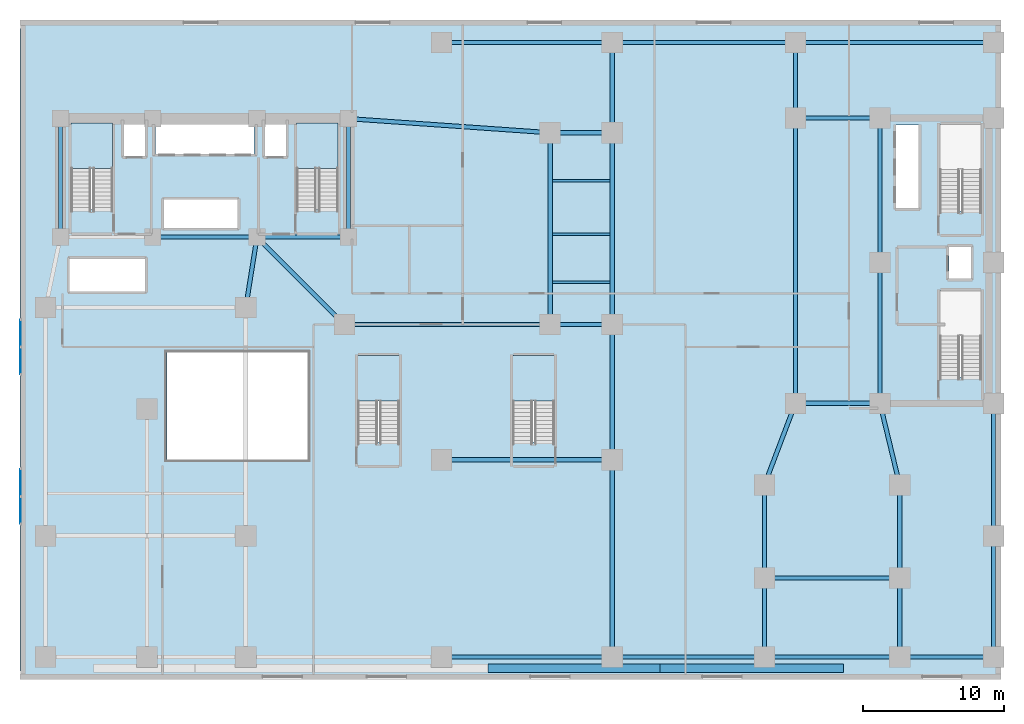
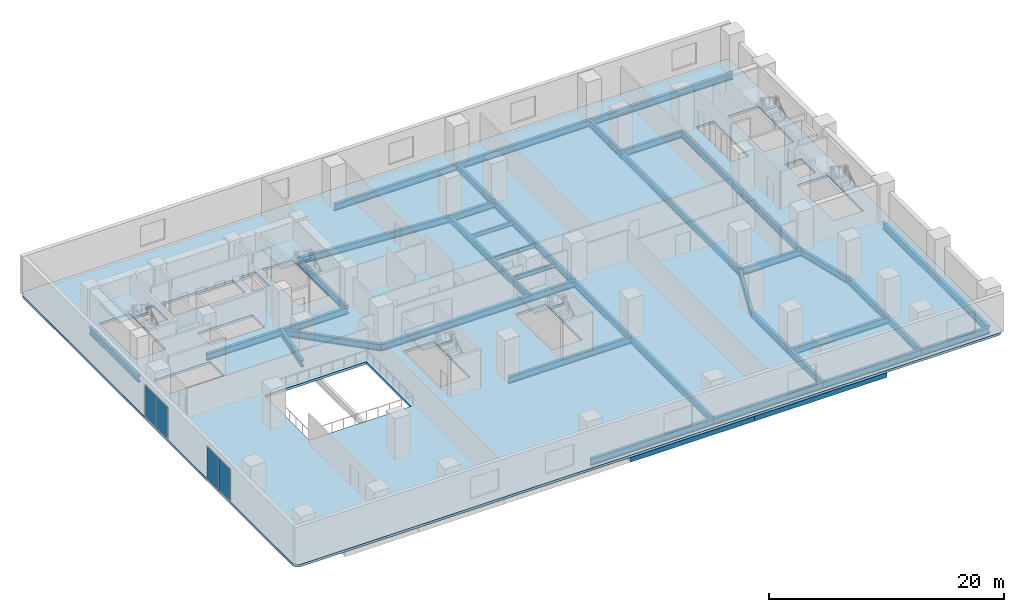
# One storey, part 7 of 14: 43 beams, 5 slabs, 4 plates, 6 elements without a shape of their own.
"""IFC4 building model written with IfcOpenShell, lengths in metres."""

from ifc_helpers import new_model, si_unit, direction, frame, origin, origin_2d, place, context, subcontext, project, spatial, polyline, rectangle, i_section, outline, extrude, material, layer, layer_set, material_profile, profile_set, type_object, element, aggregate, save


model = new_model("IFC4")

# Units and contexts
model_context = context("Model", 3, precision=1e-05, world=origin(), true_north=direction((0.0, 1.0)))
body_context = subcontext(model_context, "Body", "Model", "MODEL_VIEW")
ifc_project = project(units=[si_unit("LENGTHUNIT", "METRE"), si_unit("AREAUNIT", "SQUARE_METRE"), si_unit("VOLUMEUNIT", "CUBIC_METRE"), si_unit("PLANEANGLEUNIT", "RADIAN"), si_unit("MASSUNIT", "GRAM", prefix="KILO")], contexts=[model_context])

# Site, building, storey
site_placement = place(None, origin())
site = spatial("IfcSite", under=ifc_project, at=site_placement, CompositionType="ELEMENT")
building_placement = place(site_placement, origin())
building = spatial("IfcBuilding", under=site, at=building_placement, Name="Kuzgunbayir Cultural Tower", CompositionType="ELEMENT")
storey_placement = place(building_placement, frame((0.0, 0.0, 8.800048828125)))
storey = spatial("IfcBuildingStorey", under=building, at=storey_placement, Name="L02", CompositionType="ELEMENT", Elevation=8.800048828125)

# Beams
ifc_material_1 = material(Name="Steel S355J2", Category="steel")
ifc_material_profile_1 = material_profile(ifc_material_1, i_section(OverallWidth=0.300048828125, OverallDepth=0.699951171875, WebThickness=0.01708984375, FlangeThickness=0.031982421875, FilletRadius=0.027099609375, at=origin_2d()), Name="HEB 700")
ifc_profile_set_1 = profile_set([ifc_material_profile_1], Name="Steel S355J2")
beam_type_1 = type_object("IfcBeamType", Name="BM-GIR-HEB700", PredefinedType="BEAM", material=ifc_profile_set_1)
beam_1_placement = place(storey_placement, frame((33.5, 4.0, -0.60009765625), z_axis=(1.0, 0.0, 0.0), x_axis=(0.0, 1.0, 0.0)))
element("IfcBeam", 1, at=beam_1_placement, inside=storey, type_object=beam_type_1, Name="L02 Podium South Girder 4", PredefinedType="BEAM", context=body_context, shape_type="SweptSolid", body=[
    extrude(i_section(OverallWidth=0.300048828125, OverallDepth=0.699951171875, WebThickness=0.01708984375, FlangeThickness=0.031982421875, FilletRadius=0.027099609375, at=origin_2d()), origin(), (0.0, 0.0, 1.0), 12.10009765625),
])
beam_2_placement = place(storey_placement, frame((45.60009765625, 4.0, -0.60009765625), z_axis=(1.0, 0.0, 0.0), x_axis=(0.0, 1.0, 0.0)))
element("IfcBeam", 2, at=beam_2_placement, inside=storey, type_object=beam_type_1, Name="L02 Podium South Girder 5", PredefinedType="BEAM", context=body_context, shape_type="SweptSolid", body=[
    extrude(i_section(OverallWidth=0.300048828125, OverallDepth=0.699951171875, WebThickness=0.01708984375, FlangeThickness=0.031982421875, FilletRadius=0.027099609375, at=origin_2d()), origin(), (0.0, 0.0, 1.0), 10.7998046875),
])
beam_3_placement = place(storey_placement, frame((56.39990234375, 4.0, -0.60009765625), z_axis=(1.0, 0.0, 0.0), x_axis=(0.0, 1.0, 0.0)))
element("IfcBeam", 3, at=beam_3_placement, inside=storey, type_object=beam_type_1, Name="L02 Podium South Girder 6", PredefinedType="BEAM", context=body_context, shape_type="SweptSolid", body=[
    extrude(i_section(OverallWidth=0.300048828125, OverallDepth=0.699951171875, WebThickness=0.01708984375, FlangeThickness=0.031982421875, FilletRadius=0.027099609375, at=origin_2d()), origin(), (0.0, 0.0, 1.0), 9.60009765625),
])
beam_4_placement = place(storey_placement, frame((66.0, 4.0, -0.60009765625), z_axis=(1.0, 0.0, 0.0), x_axis=(0.0, 1.0, 0.0)))
element("IfcBeam", 4, at=beam_4_placement, inside=storey, type_object=beam_type_1, Name="L02 Podium South Girder 7", PredefinedType="BEAM", context=body_context, shape_type="SweptSolid", body=[
    extrude(i_section(OverallWidth=0.300048828125, OverallDepth=0.699951171875, WebThickness=0.01708984375, FlangeThickness=0.031982421875, FilletRadius=0.027099609375, at=origin_2d()), origin(), (0.0, 0.0, 1.0), 6.64990234375),
])
beam_5_placement = place(storey_placement, frame((33.5, 47.60009765625, -0.60009765625), z_axis=(1.0, 0.0, 0.0), x_axis=(0.0, 1.0, 0.0)))
element("IfcBeam", 5, at=beam_5_placement, inside=storey, type_object=beam_type_1, Name="L02 Podium North Girder 1", PredefinedType="BEAM", context=body_context, shape_type="SweptSolid", body=[
    extrude(i_section(OverallWidth=0.300048828125, OverallDepth=0.699951171875, WebThickness=0.01708984375, FlangeThickness=0.031982421875, FilletRadius=0.027099609375, at=origin_2d()), origin(), (0.0, 0.0, 1.0), 12.10009765625),
])
beam_6_placement = place(storey_placement, frame((45.60009765625, 47.60009765625, -0.60009765625), z_axis=(1.0, 0.0, 0.0), x_axis=(0.0, 1.0, 0.0)))
element("IfcBeam", 6, at=beam_6_placement, inside=storey, type_object=beam_type_1, Name="L02 Podium North Girder 2", PredefinedType="BEAM", context=body_context, shape_type="SweptSolid", body=[
    extrude(i_section(OverallWidth=0.300048828125, OverallDepth=0.699951171875, WebThickness=0.01708984375, FlangeThickness=0.031982421875, FilletRadius=0.027099609375, at=origin_2d()), origin(), (0.0, 0.0, 1.0), 13.0),
])
beam_7_placement = place(storey_placement, frame((58.60009765625, 47.60009765625, -0.60009765625), z_axis=(1.0, 0.0, 0.0), x_axis=(0.0, 1.0, 0.0)))
element("IfcBeam", 7, at=beam_7_placement, inside=storey, type_object=beam_type_1, Name="L02 Podium North Girder 3", PredefinedType="BEAM", context=body_context, shape_type="SweptSolid", body=[
    extrude(i_section(OverallWidth=0.300048828125, OverallDepth=0.699951171875, WebThickness=0.01708984375, FlangeThickness=0.031982421875, FilletRadius=0.027099609375, at=origin_2d()), origin(), (0.0, 0.0, 1.0), 14.0498046875),
])
beam_8_placement = place(storey_placement, frame((19.60009765625, 28.800048828125, -0.60009765625), z_axis=(0.157952891656, 0.987446648694, 0.0), x_axis=(-0.987446648694, 0.157952891656, 0.0)))
element("IfcBeam", 8, at=beam_8_placement, inside=storey, type_object=beam_type_1, Name="L02 Podium Primary Girder 8", PredefinedType="BEAM", context=body_context, shape_type="SweptSolid", body=[
    extrude(i_section(OverallWidth=0.300048828125, OverallDepth=0.699951171875, WebThickness=0.01708984375, FlangeThickness=0.031982421875, FilletRadius=0.027099609375, at=origin_2d()), origin(), (0.0, 0.0, 1.0), 5.0634765625),
])
beam_9_placement = place(storey_placement, frame((20.39990234375, 33.800048828125, -0.60009765625), z_axis=(0.707120702941, -0.707092859158, 0.0), x_axis=(0.707092859158, 0.707120702941, 0.0)))
element("IfcBeam", 9, at=beam_9_placement, inside=storey, type_object=beam_type_1, Name="L02 Podium Primary Girder 9", PredefinedType="BEAM", context=body_context, shape_type="SweptSolid", body=[
    extrude(i_section(OverallWidth=0.300048828125, OverallDepth=0.699951171875, WebThickness=0.01708984375, FlangeThickness=0.031982421875, FilletRadius=0.027099609375, at=origin_2d()), origin(), (0.0, 0.0, 1.0), 8.768310546875),
])
beam_10_placement = place(storey_placement, frame((26.60009765625, 27.60009765625, -0.60009765625), z_axis=(1.0, 0.0, 0.0), x_axis=(0.0, 1.0, 0.0)))
element("IfcBeam", 10, at=beam_10_placement, inside=storey, type_object=beam_type_1, Name="L02 Podium Primary Girder 10", PredefinedType="BEAM", context=body_context, shape_type="SweptSolid", body=[
    extrude(i_section(OverallWidth=0.300048828125, OverallDepth=0.699951171875, WebThickness=0.01708984375, FlangeThickness=0.031982421875, FilletRadius=0.027099609375, at=origin_2d()), origin(), (0.0, 0.0, 1.0), 14.599853515625),
])
beam_11_placement = place(storey_placement, frame((41.199951171875, 27.60009765625, -0.60009765625), z_axis=(1.0, 0.0, 0.0), x_axis=(0.0, 1.0, 0.0)))
element("IfcBeam", 11, at=beam_11_placement, inside=storey, type_object=beam_type_1, Name="L02 Podium Primary Girder 11", PredefinedType="BEAM", context=body_context, shape_type="SweptSolid", body=[
    extrude(i_section(OverallWidth=0.300048828125, OverallDepth=0.699951171875, WebThickness=0.01708984375, FlangeThickness=0.031982421875, FilletRadius=0.027099609375, at=origin_2d()), origin(), (0.0, 0.0, 1.0), 4.400146484375),
])
beam_12_placement = place(storey_placement, frame((26.89990234375, 42.199951171875, -0.60009765625), z_axis=(0.997563840671, -0.06975947094, 0.0), x_axis=(0.06975947094, 0.997563840671, 0.0)))
element("IfcBeam", 12, at=beam_12_placement, inside=storey, type_object=beam_type_1, Name="L02 Podium Primary Girder 12", PredefinedType="BEAM", context=body_context, shape_type="SweptSolid", body=[
    extrude(i_section(OverallWidth=0.300048828125, OverallDepth=0.699951171875, WebThickness=0.01708984375, FlangeThickness=0.031982421875, FilletRadius=0.027099609375, at=origin_2d()), origin(), (0.0, 0.0, 1.0), 14.3349609375),
])
beam_13_placement = place(storey_placement, frame((41.199951171875, 41.199951171875, -0.60009765625), z_axis=(1.0, 0.0, 0.0), x_axis=(0.0, 1.0, 0.0)))
element("IfcBeam", 13, at=beam_13_placement, inside=storey, type_object=beam_type_1, Name="L02 Podium Primary Girder 13", PredefinedType="BEAM", context=body_context, shape_type="SweptSolid", body=[
    extrude(i_section(OverallWidth=0.300048828125, OverallDepth=0.699951171875, WebThickness=0.01708984375, FlangeThickness=0.031982421875, FilletRadius=0.027099609375, at=origin_2d()), origin(), (0.0, 0.0, 1.0), 4.400146484375),
])
for number, where, z_axis, x_axis, name in (
    (14, (41.199951171875, 27.60009765625, -0.60009765625), (0.0, 1.0, 0.0), (-1.0, 0.0, 0.0), "L02 Podium Primary Girder 14"),
    (15, (45.60009765625, 27.60009765625, -0.60009765625), (0.0, 1.0, 0.0), (-1.0, 0.0, 0.0), "L02 Podium Primary Girder 15"),
):
    element("IfcBeam", number, at=place(storey_placement, frame(where, z_axis=z_axis, x_axis=x_axis)), inside=storey, type_object=beam_type_1, Name=name, PredefinedType="BEAM", context=body_context, shape_type="SweptSolid", body=[
        extrude(i_section(OverallWidth=0.300048828125, OverallDepth=0.699951171875, WebThickness=0.01708984375, FlangeThickness=0.031982421875, FilletRadius=0.027099609375, at=origin_2d()), origin(), (0.0, 0.0, 1.0), 13.599853515625),
    ])
beam_14_placement = place(storey_placement, frame((33.5, 18.0, -0.60009765625), z_axis=(1.0, 0.0, 0.0), x_axis=(0.0, 1.0, 0.0)))
element("IfcBeam", 16, at=beam_14_placement, inside=storey, type_object=beam_type_1, Name="L02 Podium Primary Girder 16", PredefinedType="BEAM", context=body_context, shape_type="SweptSolid", body=[
    extrude(i_section(OverallWidth=0.300048828125, OverallDepth=0.699951171875, WebThickness=0.01708984375, FlangeThickness=0.031982421875, FilletRadius=0.027099609375, at=origin_2d()), origin(), (0.0, 0.0, 1.0), 12.10009765625),
])
for number, where, z_axis, x_axis, name in (
    (17, (45.60009765625, 18.0, -0.60009765625), (0.0, 1.0, 0.0), (-1.0, 0.0, 0.0), "L02 Podium Primary Girder 17"),
    (18, (56.39990234375, 9.60009765625, -0.60009765625), (1.0, 0.0, 0.0), (0.0, 1.0, 0.0), "L02 Podium Primary Girder 18"),
):
    element("IfcBeam", number, at=place(storey_placement, frame(where, z_axis=z_axis, x_axis=x_axis)), inside=storey, type_object=beam_type_1, Name=name, PredefinedType="BEAM", context=body_context, shape_type="SweptSolid", body=[
        extrude(i_section(OverallWidth=0.300048828125, OverallDepth=0.699951171875, WebThickness=0.01708984375, FlangeThickness=0.031982421875, FilletRadius=0.027099609375, at=origin_2d()), origin(), (0.0, 0.0, 1.0), 9.60009765625),
    ])
beam_15_placement = place(storey_placement, frame((56.39990234375, 9.60009765625, -0.60009765625), z_axis=(0.0, 1.0, 0.0), x_axis=(-1.0, 0.0, 0.0)))
element("IfcBeam", 19, at=beam_15_placement, inside=storey, type_object=beam_type_1, Name="L02 Podium Primary Girder 19", PredefinedType="BEAM", context=body_context, shape_type="SweptSolid", body=[
    extrude(i_section(OverallWidth=0.300048828125, OverallDepth=0.699951171875, WebThickness=0.01708984375, FlangeThickness=0.031982421875, FilletRadius=0.027099609375, at=origin_2d()), origin(), (0.0, 0.0, 1.0), 6.599853515625),
])
beam_16_placement = place(storey_placement, frame((56.39990234375, 16.199951171875, -0.60009765625), z_axis=(0.354679148754, 0.93498807556, 0.0), x_axis=(-0.93498807556, 0.354679148754, 0.0)))
element("IfcBeam", 20, at=beam_16_placement, inside=storey, type_object=beam_type_1, Name="L02 Podium Primary Girder 20", PredefinedType="BEAM", context=body_context, shape_type="SweptSolid", body=[
    extrude(i_section(OverallWidth=0.300048828125, OverallDepth=0.699951171875, WebThickness=0.01708984375, FlangeThickness=0.031982421875, FilletRadius=0.027099609375, at=origin_2d()), origin(), (0.0, 0.0, 1.0), 6.203369140625),
])
beam_17_placement = place(storey_placement, frame((66.0, 9.60009765625, -0.60009765625), z_axis=(0.0, 1.0, 0.0), x_axis=(-1.0, 0.0, 0.0)))
element("IfcBeam", 21, at=beam_17_placement, inside=storey, type_object=beam_type_1, Name="L02 Podium Primary Girder 21", PredefinedType="BEAM", context=body_context, shape_type="SweptSolid", body=[
    extrude(i_section(OverallWidth=0.300048828125, OverallDepth=0.699951171875, WebThickness=0.01708984375, FlangeThickness=0.031982421875, FilletRadius=0.027099609375, at=origin_2d()), origin(), (0.0, 0.0, 1.0), 6.599853515625),
])
beam_18_placement = place(storey_placement, frame((66.0, 16.199951171875, -0.60009765625), z_axis=(-0.234623200431, 0.972086392158, 0.0), x_axis=(-0.972086392158, -0.234623200431, 0.0)))
element("IfcBeam", 22, at=beam_18_placement, inside=storey, type_object=beam_type_1, Name="L02 Podium Primary Girder 22", PredefinedType="BEAM", context=body_context, shape_type="SweptSolid", body=[
    extrude(i_section(OverallWidth=0.300048828125, OverallDepth=0.699951171875, WebThickness=0.01708984375, FlangeThickness=0.031982421875, FilletRadius=0.027099609375, at=origin_2d()), origin(), (0.0, 0.0, 1.0), 5.966552734375),
])
for number, where, z_axis, x_axis, name in (
    (23, (58.60009765625, 22.0, -0.60009765625), (1.0, 0.0, 0.0), (0.0, 1.0, 0.0), "L02 Podium Primary Girder 23"),
    (24, (58.60009765625, 42.25, -0.60009765625), (1.0, 0.0, 0.0), (0.0, 1.0, 0.0), "L02 Podium Primary Girder 24"),
):
    element("IfcBeam", number, at=place(storey_placement, frame(where, z_axis=z_axis, x_axis=x_axis)), inside=storey, type_object=beam_type_1, Name=name, PredefinedType="BEAM", context=body_context, shape_type="SweptSolid", body=[
        extrude(i_section(OverallWidth=0.300048828125, OverallDepth=0.699951171875, WebThickness=0.01708984375, FlangeThickness=0.031982421875, FilletRadius=0.027099609375, at=origin_2d()), origin(), (0.0, 0.0, 1.0), 6.0),
    ])
beam_19_placement = place(storey_placement, frame((58.60009765625, 22.0, -0.60009765625), z_axis=(0.0, 1.0, 0.0), x_axis=(-1.0, 0.0, 0.0)))
element("IfcBeam", 25, at=beam_19_placement, inside=storey, type_object=beam_type_1, Name="L02 Podium Primary Girder 25", PredefinedType="BEAM", context=body_context, shape_type="SweptSolid", body=[
    extrude(i_section(OverallWidth=0.300048828125, OverallDepth=0.699951171875, WebThickness=0.01708984375, FlangeThickness=0.031982421875, FilletRadius=0.027099609375, at=origin_2d()), origin(), (0.0, 0.0, 1.0), 20.25),
])
beam_20_placement = place(storey_placement, frame((64.60009765625, 22.0, -0.60009765625), z_axis=(0.0, 1.0, 0.0), x_axis=(-1.0, 0.0, 0.0)))
element("IfcBeam", 26, at=beam_20_placement, inside=storey, type_object=beam_type_1, Name="L02 Podium Primary Girder 26", PredefinedType="BEAM", context=body_context, shape_type="SweptSolid", body=[
    extrude(i_section(OverallWidth=0.300048828125, OverallDepth=0.699951171875, WebThickness=0.01708984375, FlangeThickness=0.031982421875, FilletRadius=0.027099609375, at=origin_2d()), origin(), (0.0, 0.0, 1.0), 10.0),
])
beam_21_placement = place(storey_placement, frame((64.60009765625, 32.0, -0.60009765625), z_axis=(0.0, 1.0, 0.0), x_axis=(-1.0, 0.0, 0.0)))
element("IfcBeam", 27, at=beam_21_placement, inside=storey, type_object=beam_type_1, Name="L02 Podium Primary Girder 27", PredefinedType="BEAM", context=body_context, shape_type="SweptSolid", body=[
    extrude(i_section(OverallWidth=0.300048828125, OverallDepth=0.699951171875, WebThickness=0.01708984375, FlangeThickness=0.031982421875, FilletRadius=0.027099609375, at=origin_2d()), origin(), (0.0, 0.0, 1.0), 10.25),
])
beam_22_placement = place(storey_placement, frame((13.0, 33.800048828125, -0.60009765625), z_axis=(1.0, 0.0, 0.0), x_axis=(0.0, 1.0, 0.0)))
element("IfcBeam", 28, at=beam_22_placement, inside=storey, type_object=beam_type_1, Name="L02 Podium Primary Girder 29", PredefinedType="BEAM", context=body_context, shape_type="SweptSolid", body=[
    extrude(i_section(OverallWidth=0.300048828125, OverallDepth=0.699951171875, WebThickness=0.01708984375, FlangeThickness=0.031982421875, FilletRadius=0.027099609375, at=origin_2d()), origin(), (0.0, 0.0, 1.0), 7.39990234375),
])
beam_23_placement = place(storey_placement, frame((20.39990234375, 33.800048828125, -0.60009765625), z_axis=(1.0, 0.0, 0.0), x_axis=(0.0, 1.0, 0.0)))
element("IfcBeam", 29, at=beam_23_placement, inside=storey, type_object=beam_type_1, Name="L02 Podium Primary Girder 30", PredefinedType="BEAM", context=body_context, shape_type="SweptSolid", body=[
    extrude(i_section(OverallWidth=0.300048828125, OverallDepth=0.699951171875, WebThickness=0.01708984375, FlangeThickness=0.031982421875, FilletRadius=0.027099609375, at=origin_2d()), origin(), (0.0, 0.0, 1.0), 6.5),
])
for number, where, z_axis, x_axis, name in (
    (30, (6.449951171875, 33.800048828125, -0.60009765625), (0.0, 1.0, 0.0), (-1.0, 0.0, 0.0), "L02 Podium Primary Girder 31"),
    (31, (26.89990234375, 33.800048828125, -0.60009765625), (0.0, 1.0, 0.0), (-1.0, 0.0, 0.0), "L02 Podium Primary Girder 32"),
):
    element("IfcBeam", number, at=place(storey_placement, frame(where, z_axis=z_axis, x_axis=x_axis)), inside=storey, type_object=beam_type_1, Name=name, PredefinedType="BEAM", context=body_context, shape_type="SweptSolid", body=[
        extrude(i_section(OverallWidth=0.300048828125, OverallDepth=0.699951171875, WebThickness=0.01708984375, FlangeThickness=0.031982421875, FilletRadius=0.027099609375, at=origin_2d()), origin(), (0.0, 0.0, 1.0), 8.39990234375),
    ])
beam_24_placement = place(storey_placement, frame((45.60009765625, 4.0, -0.60009765625), z_axis=(0.0, 1.0, 0.0), x_axis=(-1.0, 0.0, 0.0)))
element("IfcBeam", 32, at=beam_24_placement, inside=storey, type_object=beam_type_1, Name="L02 Podium Primary Girder 36", PredefinedType="BEAM", context=body_context, shape_type="SweptSolid", body=[
    extrude(i_section(OverallWidth=0.300048828125, OverallDepth=0.699951171875, WebThickness=0.01708984375, FlangeThickness=0.031982421875, FilletRadius=0.027099609375, at=origin_2d()), origin(), (0.0, 0.0, 1.0), 14.0),
])
for number, where, z_axis, x_axis, name in (
    (33, (56.39990234375, 4.0, -0.60009765625), (0.0, 1.0, 0.0), (-1.0, 0.0, 0.0), "L02 Podium Primary Girder 37"),
    (34, (66.0, 4.0, -0.60009765625), (0.0, 1.0, 0.0), (-1.0, 0.0, 0.0), "L02 Podium Primary Girder 38"),
):
    element("IfcBeam", number, at=place(storey_placement, frame(where, z_axis=z_axis, x_axis=x_axis)), inside=storey, type_object=beam_type_1, Name=name, PredefinedType="BEAM", context=body_context, shape_type="SweptSolid", body=[
        extrude(i_section(OverallWidth=0.300048828125, OverallDepth=0.699951171875, WebThickness=0.01708984375, FlangeThickness=0.031982421875, FilletRadius=0.027099609375, at=origin_2d()), origin(), (0.0, 0.0, 1.0), 5.60009765625),
    ])
beam_25_placement = place(storey_placement, frame((72.64990234375, 4.0, -0.60009765625), z_axis=(0.0, 1.0, 0.0), x_axis=(-1.0, 0.0, 0.0)))
element("IfcBeam", 35, at=beam_25_placement, inside=storey, type_object=beam_type_1, Name="L02 Podium Primary Girder 39", PredefinedType="BEAM", context=body_context, shape_type="SweptSolid", body=[
    extrude(i_section(OverallWidth=0.300048828125, OverallDepth=0.699951171875, WebThickness=0.01708984375, FlangeThickness=0.031982421875, FilletRadius=0.027099609375, at=origin_2d()), origin(), (0.0, 0.0, 1.0), 8.60009765625),
])
beam_26_placement = place(storey_placement, frame((72.64990234375, 12.60009765625, -0.60009765625), z_axis=(0.0, 1.0, 0.0), x_axis=(-1.0, 0.0, 0.0)))
element("IfcBeam", 36, at=beam_26_placement, inside=storey, type_object=beam_type_1, Name="L02 Podium Primary Girder 40", PredefinedType="BEAM", context=body_context, shape_type="SweptSolid", body=[
    extrude(i_section(OverallWidth=0.300048828125, OverallDepth=0.699951171875, WebThickness=0.01708984375, FlangeThickness=0.031982421875, FilletRadius=0.027099609375, at=origin_2d()), origin(), (0.0, 0.0, 1.0), 9.39990234375),
])
beam_27_placement = place(storey_placement, frame((45.60009765625, 41.199951171875, -0.60009765625), z_axis=(0.0, 1.0, 0.0), x_axis=(-1.0, 0.0, 0.0)))
element("IfcBeam", 37, at=beam_27_placement, inside=storey, type_object=beam_type_1, Name="L02 Podium Primary Girder 41", PredefinedType="BEAM", context=body_context, shape_type="SweptSolid", body=[
    extrude(i_section(OverallWidth=0.300048828125, OverallDepth=0.699951171875, WebThickness=0.01708984375, FlangeThickness=0.031982421875, FilletRadius=0.027099609375, at=origin_2d()), origin(), (0.0, 0.0, 1.0), 6.400146484375),
])
beam_28_placement = place(storey_placement, frame((58.60009765625, 42.25, -0.60009765625), z_axis=(0.0, 1.0, 0.0), x_axis=(-1.0, 0.0, 0.0)))
element("IfcBeam", 38, at=beam_28_placement, inside=storey, type_object=beam_type_1, Name="L02 Podium Primary Girder 42", PredefinedType="BEAM", context=body_context, shape_type="SweptSolid", body=[
    extrude(i_section(OverallWidth=0.300048828125, OverallDepth=0.699951171875, WebThickness=0.01708984375, FlangeThickness=0.031982421875, FilletRadius=0.027099609375, at=origin_2d()), origin(), (0.0, 0.0, 1.0), 5.35009765625),
])
ifc_material_profile_2 = material_profile(ifc_material_1, i_section(OverallWidth=0.18994140625, OverallDepth=0.449951171875, WebThickness=0.009521484375, FlangeThickness=0.0146484375, FilletRadius=0.02099609375, at=origin_2d()), Name="IPE 450")
ifc_profile_set_2 = profile_set([ifc_material_profile_2], Name="Steel S355J2")
beam_type_2 = type_object("IfcBeamType", Name="BM-JST-IPE450", PredefinedType="JOIST", material=ifc_profile_set_2)
for number, where, z_axis, x_axis, name in (
    (39, (41.35009765625, 30.60009765625, -0.469970703125), (1.0, 0.0, 0.0), (0.0, 1.0, 0.0), "L02 Podium Joist B"),
    (40, (41.35009765625, 34.0, -0.469970703125), (1.0, 0.0, 0.0), (0.0, 1.0, 0.0), "L02 Podium Joist B"),
    (41, (41.35009765625, 37.800048828125, -0.469970703125), (1.0, 0.0, 0.0), (0.0, 1.0, 0.0), "L02 Podium Joist B"),
):
    element("IfcBeam", number, at=place(storey_placement, frame(where, z_axis=z_axis, x_axis=x_axis)), inside=storey, type_object=beam_type_2, Name=name, PredefinedType="JOIST", context=body_context, shape_type="SweptSolid", body=[
        extrude(i_section(OverallWidth=0.18994140625, OverallDepth=0.449951171875, WebThickness=0.009521484375, FlangeThickness=0.0146484375, FilletRadius=0.02099609375, at=origin_2d()), origin(), (0.0, 0.0, 1.0), 4.099853515625),
    ])
ifc_material_2 = material(Name="Concrete C40/50", Category="concrete")
ifc_material_profile_3 = material_profile(ifc_material_2, rectangle(XDim=0.60009765625, YDim=0.89990234375, at=origin_2d()), Name="RC 600x900")
ifc_profile_set_3 = profile_set([ifc_material_profile_3], Name="Concrete C40/50")
beam_type_3 = type_object("IfcBeamType", Name="BM-SPN-RC600x900", PredefinedType="SPANDREL", material=ifc_profile_set_3)
beam_29_placement = place(storey_placement, frame((36.800048828125, 3.199951171875, -0.699951171875), z_axis=(1.0, 0.0, 0.0), x_axis=(0.0, 1.0, 0.0)))
element("IfcBeam", 42, at=beam_29_placement, inside=storey, type_object=beam_type_3, Name="L02 South Edge Girder 4", PredefinedType="SPANDREL", context=body_context, shape_type="SweptSolid", body=[
    extrude(rectangle(XDim=0.60009765625, YDim=0.89990234375, at=origin_2d()), origin(), (0.0, 0.0, 1.0), 12.199951171875),
])
beam_30_placement = place(storey_placement, frame((49.0, 3.199951171875, -0.699951171875), z_axis=(1.0, 0.0, 0.0), x_axis=(0.0, 1.0, 0.0)))
element("IfcBeam", 43, at=beam_30_placement, inside=storey, type_object=beam_type_3, Name="L02 South Edge Girder 5", PredefinedType="SPANDREL", context=body_context, shape_type="SweptSolid", body=[
    extrude(rectangle(XDim=0.60009765625, YDim=0.89990234375, at=origin_2d()), origin(), (0.0, 0.0, 1.0), 13.0),
])

# Curtain wall, plates
ifc_material_3 = material(Name="Anodised Aluminium Framing", Category="aluminium")
curtain_wall_type = type_object("IfcCurtainWallType", Name="CW01-POD-FOYER", PredefinedType="NOTDEFINED", material=ifc_material_3)
curtain_wall_1_placement = place(storey_placement, origin())
curtain_wall_1 = element("IfcCurtainWall", 44, at=curtain_wall_1_placement, inside=storey, type_object=curtain_wall_type, Name="L02 Civic Foyer Curtain Wall South", PredefinedType="NOTDEFINED")
ifc_material_4 = material(Name="Solar-Control Triple Glazing", Category="glass")
ifc_layer_1 = layer(ifc_material_4, 0.035888671875)
ifc_layer_set_1 = layer_set([ifc_layer_1], Name="Solar-Control Triple Glazing")
plate_type = type_object("IfcPlateType", Name="PLT-CW-GLASS-36", PredefinedType="CURTAIN_PANEL", material=ifc_layer_set_1)
plate_1_placement = place(storey_placement, frame((3.6201171875, 14.418701171875, 0.06005859375), z_axis=(0.0, 0.0, 1.0), x_axis=(0.0, 1.0, 0.0)))
plate_1 = element("IfcPlate", 45, at=plate_1_placement, type_object=plate_type, Name="CW01 panel 1.1", PredefinedType="CURTAIN_PANEL", context=body_context, shape_type="SweptSolid", body=[
    extrude(rectangle(XDim=1.887451171875, YDim=0.035888671875, at=origin_2d()), origin(), (0.0, 0.0, 1.0), 3.280029296875),
])
plate_2_placement = place(storey_placement, frame((3.6201171875, 16.38134765625, 0.06005859375), z_axis=(0.0, 0.0, 1.0), x_axis=(0.0, 1.0, 0.0)))
plate_2 = element("IfcPlate", 46, at=plate_2_placement, type_object=plate_type, Name="CW01 panel 2.1", PredefinedType="CURTAIN_PANEL", context=body_context, shape_type="SweptSolid", body=[
    extrude(rectangle(XDim=1.887451171875, YDim=0.035888671875, at=origin_2d()), origin(), (0.0, 0.0, 1.0), 3.280029296875),
])
aggregate(curtain_wall_1, [plate_1, plate_2])

curtain_wall_2_placement = place(storey_placement, origin())
curtain_wall_2 = element("IfcCurtainWall", 47, at=curtain_wall_2_placement, inside=storey, type_object=curtain_wall_type, Name="L02 Civic Foyer Curtain Wall North", PredefinedType="NOTDEFINED")
plate_3_placement = place(storey_placement, frame((3.6201171875, 25.018798828125, 0.06005859375), z_axis=(0.0, 0.0, 1.0), x_axis=(0.0, 1.0, 0.0)))
plate_3 = element("IfcPlate", 48, at=plate_3_placement, type_object=plate_type, Name="CW01 panel 1.1", PredefinedType="CURTAIN_PANEL", context=body_context, shape_type="SweptSolid", body=[
    extrude(rectangle(XDim=1.887451171875, YDim=0.035888671875, at=origin_2d()), origin(), (0.0, 0.0, 1.0), 3.280029296875),
])
plate_4_placement = place(storey_placement, frame((3.6201171875, 26.981201171875, 0.06005859375), z_axis=(0.0, 0.0, 1.0), x_axis=(0.0, 1.0, 0.0)))
plate_4 = element("IfcPlate", 49, at=plate_4_placement, type_object=plate_type, Name="CW01 panel 2.1", PredefinedType="CURTAIN_PANEL", context=body_context, shape_type="SweptSolid", body=[
    extrude(rectangle(XDim=1.887451171875, YDim=0.035888671875, at=origin_2d()), origin(), (0.0, 0.0, 1.0), 3.280029296875),
])
aggregate(curtain_wall_2, [plate_3, plate_4])

# Stair, slab
stair_type_1 = type_object("IfcStairType", Name="STR-EXIT-CORE", PredefinedType="HALF_TURN_STAIR", material=ifc_material_2)
stair_1_placement = place(storey_placement, origin())
stair_1 = element("IfcStair", 50, at=stair_1_placement, inside=storey, type_object=stair_type_1, Name="L02 ST-1", PredefinedType="HALF_TURN_STAIR")
ifc_layer_2 = layer(ifc_material_2, 0.179931640625)
ifc_layer_set_2 = layer_set([ifc_layer_2], Name="Concrete C40/50")
slab_type_1 = type_object("IfcSlabType", Name="SLB-LANDING-180", PredefinedType="LANDING", material=ifc_layer_set_2)
slab_1_placement = place(storey_placement, frame((0.0, 0.0, 1.89990234375)))
slab_1 = element("IfcSlab", 51, at=slab_1_placement, type_object=slab_type_1, Name="ST-1 landing 1", PredefinedType="LANDING", context=body_context, shape_type="SweptSolid", body=[
    extrude(outline(polyline([(10.159912109375, 38.679931640625), (10.159912109375, 41.89990234375), (7.199951171875, 41.89990234375), (7.199951171875, 38.679931640625), (10.159912109375, 38.679931640625)])), origin(), (0.0, 0.0, 1.0), 0.199951171875),
])
aggregate(stair_1, [slab_1])

stair_2_placement = place(storey_placement, origin())
stair_2 = element("IfcStair", 52, at=stair_2_placement, inside=storey, type_object=stair_type_1, Name="L02 ST-2", PredefinedType="HALF_TURN_STAIR")
slab_2_placement = place(storey_placement, frame((0.0, 0.0, 1.89990234375)))
slab_2 = element("IfcSlab", 53, at=slab_2_placement, type_object=slab_type_1, Name="ST-2 landing 1", PredefinedType="LANDING", context=body_context, shape_type="SweptSolid", body=[
    extrude(outline(polyline([(26.159912109375, 38.679931640625), (26.159912109375, 41.89990234375), (23.199951171875, 41.89990234375), (23.199951171875, 38.679931640625), (26.159912109375, 38.679931640625)])), origin(), (0.0, 0.0, 1.0), 0.199951171875),
])
aggregate(stair_2, [slab_2])

stair_type_2 = type_object("IfcStairType", Name="STR-PODIUM-ESC", PredefinedType="HALF_TURN_STAIR", material=ifc_material_2)
stair_3_placement = place(storey_placement, origin())
stair_3 = element("IfcStair", 54, at=stair_3_placement, inside=storey, type_object=stair_type_2, Name="L02 ST-5", PredefinedType="HALF_TURN_STAIR")
slab_3_placement = place(storey_placement, frame((0.0, 0.0, 1.89990234375)))
slab_3 = element("IfcSlab", 55, at=slab_3_placement, type_object=slab_type_1, Name="ST-5 landing 1", PredefinedType="LANDING", context=body_context, shape_type="SweptSolid", body=[
    extrude(outline(polyline([(30.5, 22.179931640625), (30.5, 25.39990234375), (27.5400390625, 25.39990234375), (27.5400390625, 22.179931640625), (30.5, 22.179931640625)])), origin(), (0.0, 0.0, 1.0), 0.199951171875),
])
aggregate(stair_3, [slab_3])

stair_4_placement = place(storey_placement, origin())
stair_4 = element("IfcStair", 56, at=stair_4_placement, inside=storey, type_object=stair_type_2, Name="L02 ST-6", PredefinedType="HALF_TURN_STAIR")
slab_4_placement = place(storey_placement, frame((0.0, 0.0, 1.89990234375)))
slab_4 = element("IfcSlab", 57, at=slab_4_placement, type_object=slab_type_1, Name="ST-6 landing 1", PredefinedType="LANDING", context=body_context, shape_type="SweptSolid", body=[
    extrude(outline(polyline([(41.5, 22.179931640625), (41.5, 25.39990234375), (38.5400390625, 25.39990234375), (38.5400390625, 22.179931640625), (41.5, 22.179931640625)])), origin(), (0.0, 0.0, 1.0), 0.199951171875),
])
aggregate(stair_4, [slab_4])

# Slab
ifc_layer_3 = layer(ifc_material_2, 0.25)
ifc_layer_set_3 = layer_set([ifc_layer_3], Name="Concrete C40/50")
slab_type_2 = type_object("IfcSlabType", Name="SLB-POD-250", PredefinedType="FLOOR", material=ifc_layer_set_3)
slab_5_placement = place(storey_placement, frame((0.0, 0.0, -0.25)))
element("IfcSlab", 58, at=slab_5_placement, inside=storey, type_object=slab_type_2, Name="L02 Podium Structural Floor Slab", PredefinedType="FLOOR", context=body_context, shape_type="SweptSolid", body=[
    extrude(outline(polyline([(72.60009765625, 2.39990234375), (72.719970703125, 2.409912109375), (72.830078125, 2.449951171875), (72.929931640625, 2.5), (73.02001953125, 2.580078125), (73.10009765625, 2.669921875), (73.14990234375, 2.77001953125), (73.18994140625, 2.8798828125), (73.199951171875, 3.0), (73.199951171875, 48.60009765625), (73.18994140625, 48.719970703125), (73.14990234375, 48.830078125), (73.10009765625, 48.929931640625), (73.02001953125, 49.02001953125), (72.929931640625, 49.10009765625), (72.830078125, 49.14990234375), (72.719970703125, 49.18994140625), (72.60009765625, 49.199951171875), (4.199951171875, 49.199951171875), (4.080078125, 49.18994140625), (3.969970703125, 49.14990234375), (3.8701171875, 49.10009765625), (3.780029296875, 49.02001953125), (3.699951171875, 48.929931640625), (3.64990234375, 48.830078125), (3.610107421875, 48.719970703125), (3.60009765625, 48.60009765625), (3.60009765625, 3.0), (3.610107421875, 2.8798828125), (3.64990234375, 2.77001953125), (3.699951171875, 2.669921875), (3.780029296875, 2.580078125), (3.8701171875, 2.5), (3.969970703125, 2.449951171875), (4.080078125, 2.409912109375), (4.199951171875, 2.39990234375), (72.60009765625, 2.39990234375)]), holes=[polyline([(7.199951171875, 35.760009765625), (7.199951171875, 41.89990234375), (10.159912109375, 41.89990234375), (10.159912109375, 35.760009765625), (7.199951171875, 35.760009765625)]), polyline([(23.199951171875, 35.760009765625), (23.199951171875, 41.89990234375), (26.159912109375, 41.89990234375), (26.159912109375, 35.760009765625), (23.199951171875, 35.760009765625)]), polyline([(68.840087890625, 23.860107421875), (68.840087890625, 30.0), (71.800048828125, 30.0), (71.800048828125, 23.860107421875), (68.840087890625, 23.860107421875)]), polyline([(68.840087890625, 35.659912109375), (68.840087890625, 41.800048828125), (71.800048828125, 41.800048828125), (71.800048828125, 35.659912109375), (68.840087890625, 35.659912109375)]), polyline([(27.5400390625, 19.260009765625), (27.5400390625, 25.39990234375), (30.5, 25.39990234375), (30.5, 19.260009765625), (27.5400390625, 19.260009765625)]), polyline([(38.5400390625, 19.260009765625), (38.5400390625, 25.39990234375), (41.5, 25.39990234375), (41.5, 19.260009765625), (38.5400390625, 19.260009765625)]), polyline([(13.199951171875, 39.699951171875), (13.199951171875, 41.800048828125), (20.199951171875, 41.800048828125), (20.199951171875, 39.699951171875), (13.199951171875, 39.699951171875)]), polyline([(13.75, 34.39990234375), (13.75, 36.5), (19.080078125, 36.5), (19.080078125, 34.39990234375), (13.75, 34.39990234375)]), polyline([(7.10009765625, 29.89990234375), (7.10009765625, 32.300048828125), (12.5, 32.300048828125), (12.5, 29.89990234375), (7.10009765625, 29.89990234375)]), polyline([(10.89990234375, 39.5), (10.89990234375, 41.89990234375), (12.5, 41.89990234375), (12.5, 39.5), (10.89990234375, 39.5)]), polyline([(20.89990234375, 39.5), (20.89990234375, 41.89990234375), (22.5, 41.89990234375), (22.5, 39.5), (20.89990234375, 39.5)]), polyline([(65.699951171875, 35.800048828125), (65.699951171875, 41.75), (67.39990234375, 41.75), (67.39990234375, 35.800048828125), (65.699951171875, 35.800048828125)]), polyline([(69.5, 30.800048828125), (69.5, 33.199951171875), (71.10009765625, 33.199951171875), (71.10009765625, 30.800048828125), (69.5, 30.800048828125)]), polyline([(14.0, 18.0), (14.0, 25.60009765625), (24.0, 25.60009765625), (24.0, 18.0), (14.0, 18.0)])]), origin(), (0.0, 0.0, 1.0), 0.25),
])

save(model, "model.ifc")
